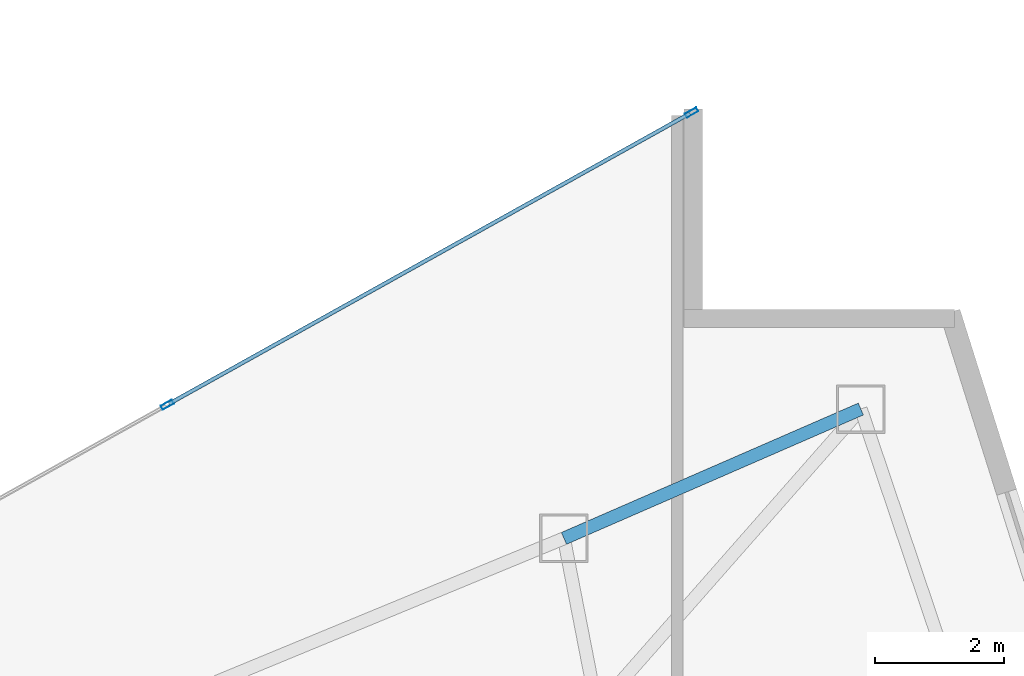
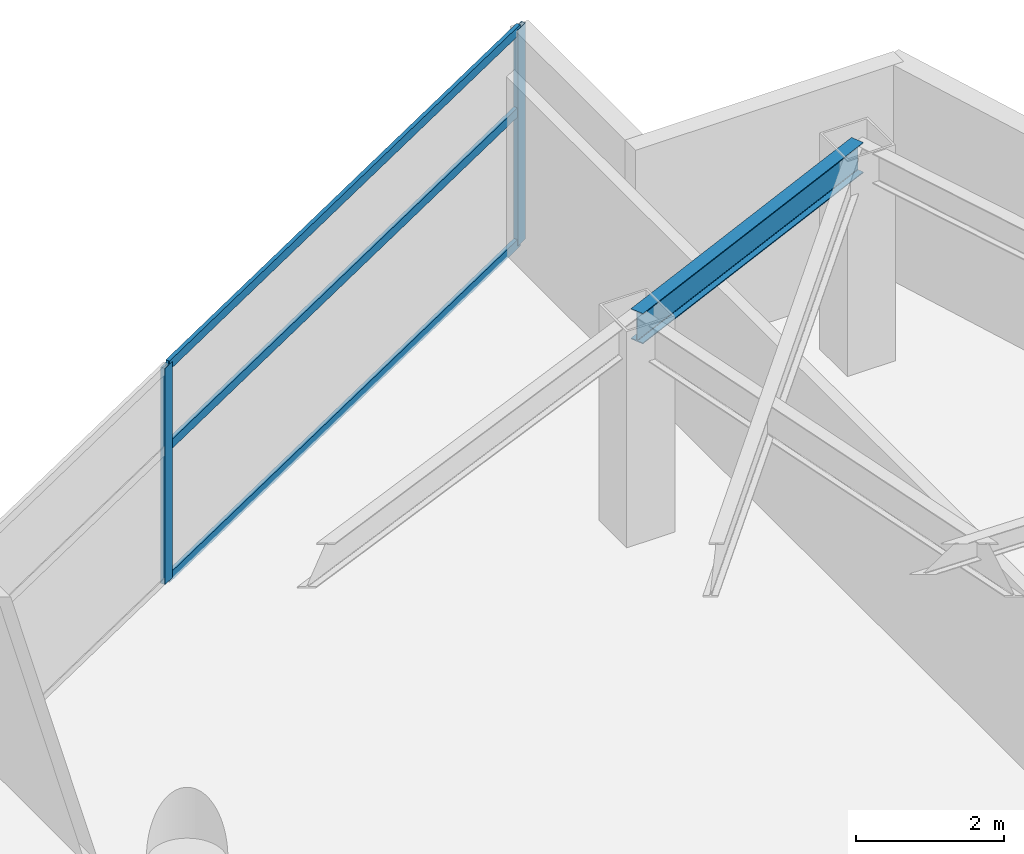
# One storey, part 20 of 29: 5 members, 1 beam, 1 element without a shape of its own.
"""IFC4 building model written with IfcOpenShell, lengths in metres."""

from ifc_helpers import new_model, si_unit, direction, frame, origin, origin_2d, place, context, subcontext, project, spatial, hollow_rectangle, i_section, extrude, material, layer, layer_set, material_profile, profile_set, type_object, element, aggregate, save


model = new_model("IFC4")

# Units and contexts
model_context = context("Model", 3, precision=1e-05, world=origin(), true_north=direction((0.0, 1.0)))
body_context = subcontext(model_context, "Body", "Model", "MODEL_VIEW")
ifc_project = project(units=[si_unit("LENGTHUNIT", "METRE"), si_unit("AREAUNIT", "SQUARE_METRE"), si_unit("VOLUMEUNIT", "CUBIC_METRE"), si_unit("PLANEANGLEUNIT", "RADIAN"), si_unit("MASSUNIT", "GRAM", prefix="KILO")], contexts=[model_context])

# Site, building, storey
site_placement = place(None, origin())
site = spatial("IfcSite", under=ifc_project, at=site_placement, CompositionType="ELEMENT")
building_placement = place(site_placement, origin())
building = spatial("IfcBuilding", under=site, at=building_placement, Name="Calvorn Quay Hotel", CompositionType="ELEMENT")
storey_placement = place(building_placement, frame((0.0, 0.0, 171.300048828125)))
storey = spatial("IfcBuildingStorey", under=building, at=storey_placement, Name="L42", CompositionType="ELEMENT", Elevation=171.300048828125)

# Beam
ifc_material_1 = material(Name="Steel Q355B", Category="steel")
ifc_material_profile_1 = material_profile(ifc_material_1, i_section(OverallWidth=0.199951171875, OverallDepth=0.5, WebThickness=0.010009765625, FlangeThickness=0.01611328125, FilletRadius=0.01611328125, at=origin_2d()), Name="HN500x200x10x16")
ifc_profile_set_1 = profile_set([ifc_material_profile_1], Name="Steel Q355B")
beam_type = type_object("IfcBeamType", Name="BM-SPANDREL-Z1", PredefinedType="SPANDREL", material=ifc_profile_set_1)
beam_placement = place(storey_placement, frame((48.591064453125, 33.39990234375, 3.2900390625), z_axis=(-0.916786146489, -0.399378469132, 0.0), x_axis=(0.399378469132, -0.916786146489, 0.0)))
element("IfcBeam", 1, at=beam_placement, inside=storey, type_object=beam_type, Name="Beam BSP-L42-E3", PredefinedType="SPANDREL", context=body_context, shape_type="SweptSolid", body=[
    extrude(i_section(OverallWidth=0.199951171875, OverallDepth=0.5, WebThickness=0.010009765625, FlangeThickness=0.01611328125, FilletRadius=0.01611328125, at=origin_2d()), origin(), (0.0, 0.0, 1.0), 5.0078125),
])

# Curtain wall, members
ifc_material_2 = material(Name="Pale Anodised Aluminium and Low-E Glass", Category="aluminium")
ifc_layer = layer(ifc_material_2, 0.219970703125)
ifc_layer_set = layer_set([ifc_layer], Name="CW-SYS-Z2")
curtain_wall_type = type_object("IfcCurtainWallType", Name="CW-SYS-Z2", PredefinedType="NOTDEFINED", material=ifc_layer_set)
curtain_wall_placement = place(storey_placement, origin())
curtain_wall = element("IfcCurtainWall", 2, at=curtain_wall_placement, inside=storey, type_object=curtain_wall_type, Name="Inner Court Curtain Wall L42-NE1", PredefinedType="NOTDEFINED")
ifc_material_3 = material(Name="Pale Anodised Aluminium 6063-T6", Category="aluminium")
ifc_material_profile_2 = material_profile(ifc_material_3, hollow_rectangle(XDim=0.070068359375, YDim=0.199951171875, WallThickness=0.00390625, at=origin_2d()), Name="ALU-M200x70x4")
ifc_profile_set_2 = profile_set([ifc_material_profile_2], Name="Pale Anodised Aluminium 6063-T6")
member_type_1 = type_object("IfcMemberType", Name="CW-SYS-Z2-MUL", PredefinedType="MULLION", material=ifc_profile_set_2)
member_1_placement = place(storey_placement, frame((45.973876953125, 37.9853515625, 0.0), z_axis=(0.0, 0.0, 1.0), x_axis=(0.486858256224, -0.873480989116, 0.0)))
member_1 = element("IfcMember", 3, at=member_1_placement, type_object=member_type_1, Name="CW-L42-NE1 mullion 1", PredefinedType="MULLION", context=body_context, shape_type="SweptSolid", body=[
    extrude(hollow_rectangle(XDim=0.070068359375, YDim=0.199951171875, WallThickness=0.00390625, at=origin_2d()), origin(), (0.0, 0.0, 1.0), 3.56005859375),
])
member_2_placement = place(storey_placement, frame((37.86669921875, 33.466552734375, 0.0), z_axis=(0.0, 0.0, 1.0), x_axis=(0.486858256224, -0.873480989116, 0.0)))
member_2 = element("IfcMember", 4, at=member_2_placement, type_object=member_type_1, Name="CW-L42-NE1 mullion 2", PredefinedType="MULLION", context=body_context, shape_type="SweptSolid", body=[
    extrude(hollow_rectangle(XDim=0.070068359375, YDim=0.199951171875, WallThickness=0.00390625, at=origin_2d()), origin(), (0.0, 0.0, 1.0), 3.56005859375),
])
ifc_material_4 = material(Name="Pale Anodised Aluminium 6063-T6", Category="aluminium")
ifc_material_profile_3 = material_profile(ifc_material_4, hollow_rectangle(XDim=0.06005859375, YDim=0.14990234375, WallThickness=0.00341796875, at=origin_2d()), Name="ALU-T150x60x3.5")
ifc_profile_set_3 = profile_set([ifc_material_profile_3], Name="Pale Anodised Aluminium 6063-T6")
member_type_2 = type_object("IfcMemberType", Name="CW-SYS-Z2-TRN", PredefinedType="USERDEFINED", material=ifc_profile_set_3)
member_3_placement = place(storey_placement, frame((45.947509765625, 37.970703125, 0.030029296875), z_axis=(-0.87348080454, -0.486858587375, 0.0), x_axis=(0.486858587375, -0.87348080454, 0.0)))
member_3 = element("IfcMember", 5, at=member_3_placement, type_object=member_type_2, Name="CW-L42-NE1 transom 1.1", ObjectType="TRANSOM", PredefinedType="USERDEFINED", context=body_context, shape_type="SweptSolid", body=[
    extrude(hollow_rectangle(XDim=0.06005859375, YDim=0.14990234375, WallThickness=0.00341796875, at=origin_2d()), origin(), (0.0, 0.0, 1.0), 9.221435546875),
])
member_4_placement = place(storey_placement, frame((45.947509765625, 37.970703125, 2.199951171875), z_axis=(-0.87348080454, -0.486858587375, 0.0), x_axis=(0.486858587375, -0.87348080454, 0.0)))
member_4 = element("IfcMember", 6, at=member_4_placement, type_object=member_type_2, Name="CW-L42-NE1 transom 1.2", ObjectType="TRANSOM", PredefinedType="USERDEFINED", context=body_context, shape_type="SweptSolid", body=[
    extrude(hollow_rectangle(XDim=0.06005859375, YDim=0.14990234375, WallThickness=0.00341796875, at=origin_2d()), origin(), (0.0, 0.0, 1.0), 9.221435546875),
])
member_5_placement = place(storey_placement, frame((45.947509765625, 37.970703125, 3.530029296875), z_axis=(-0.87348080454, -0.486858587375, 0.0), x_axis=(0.486858587375, -0.87348080454, 0.0)))
member_5 = element("IfcMember", 7, at=member_5_placement, type_object=member_type_2, Name="CW-L42-NE1 transom 1.3", ObjectType="TRANSOM", PredefinedType="USERDEFINED", context=body_context, shape_type="SweptSolid", body=[
    extrude(hollow_rectangle(XDim=0.06005859375, YDim=0.14990234375, WallThickness=0.00341796875, at=origin_2d()), origin(), (0.0, 0.0, 1.0), 9.221435546875),
])
aggregate(curtain_wall, [member_1, member_2, member_3, member_4, member_5])

save(model, "model.ifc")
